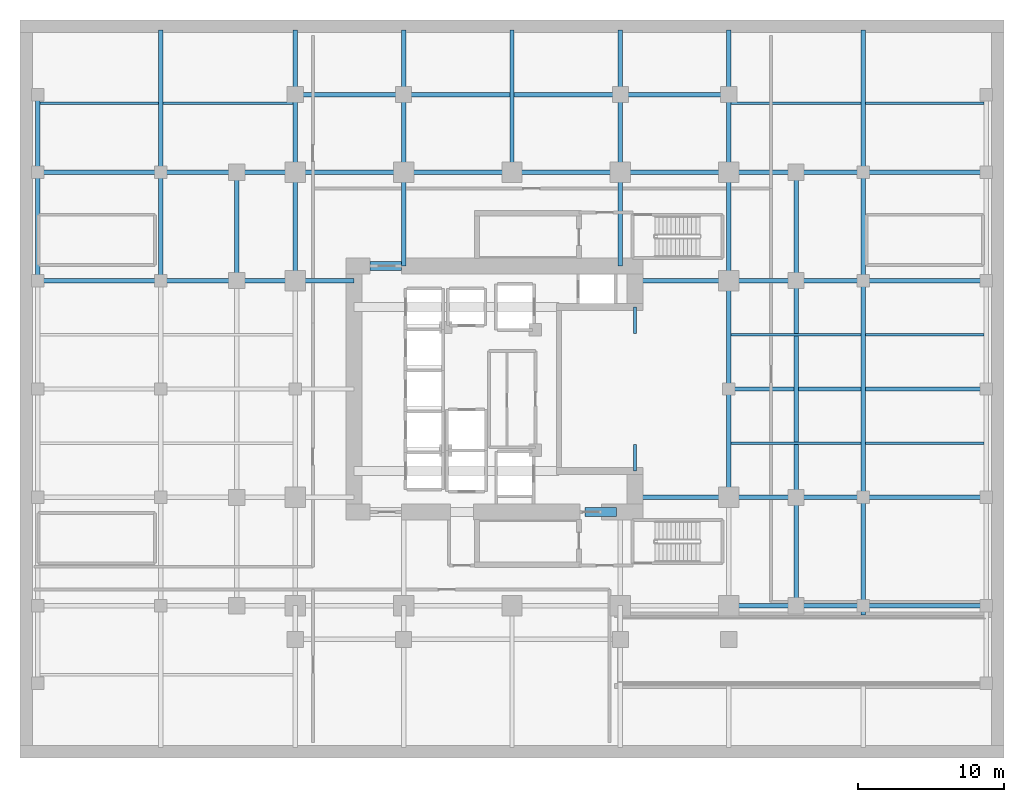
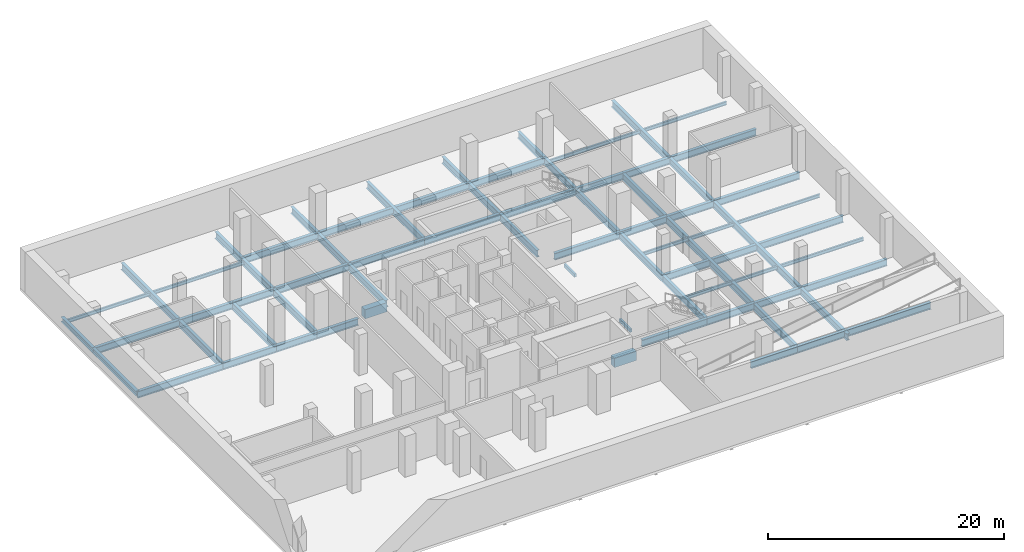
# One storey, part 2 of 7: 68 beams.
"""IFC4 building model written with IfcOpenShell, lengths in metres."""

from ifc_helpers import new_model, si_unit, direction, frame, origin, origin_2d, place, context, subcontext, project, spatial, rectangle, i_section, extrude, material, material_profile, profile_set, type_object, element, save


model = new_model("IFC4")

# Units and contexts
model_context = context("Model", 3, precision=1e-05, world=origin(), true_north=direction((0.0, 1.0)))
body_context = subcontext(model_context, "Body", "Model", "MODEL_VIEW")
ifc_project = project(units=[si_unit("LENGTHUNIT", "METRE"), si_unit("AREAUNIT", "SQUARE_METRE"), si_unit("VOLUMEUNIT", "CUBIC_METRE"), si_unit("PLANEANGLEUNIT", "RADIAN"), si_unit("MASSUNIT", "GRAM", prefix="KILO")], contexts=[model_context])

# Site, building, storey
site_placement = place(None, origin())
site = spatial("IfcSite", under=ifc_project, at=site_placement, CompositionType="ELEMENT")
building_placement = place(site_placement, origin())
building = spatial("IfcBuilding", under=site, at=building_placement, Name="Khorvyn Point Tower", CompositionType="ELEMENT")
storey_placement = place(building_placement, frame((0.0, 0.0, -8.39990234375)))
storey = spatial("IfcBuildingStorey", under=building, at=storey_placement, Name="B2", CompositionType="ELEMENT", Elevation=-8.39990234375)

# Beams
ifc_material_1 = material(Name="Concrete C35/45", Category="concrete")
ifc_material_profile_1 = material_profile(ifc_material_1, rectangle(XDim=0.199951171875, YDim=0.35009765625, at=origin_2d()))
ifc_profile_set_1 = profile_set([ifc_material_profile_1], Name="Concrete C35/45 RC200x350")
beam_type_1 = type_object("IfcBeamType", Name="Concrete C35/45 Lintel RC200x350", PredefinedType="LINTEL", material=ifc_profile_set_1)
for number, where, z_axis, x_axis, name in (
    (1, (8.39990234375, -5.60009765625, -0.43505859375), (0.0, 1.0, 0.0), (-1.0, 0.0, 0.0), "B2 Core Atrium Portal Lintel S"),
    (2, (8.39990234375, 3.800048828125, -0.43505859375), (0.0, 1.0, 0.0), (-1.0, 0.0, 0.0), "B2 Core Atrium Portal Lintel N"),
):
    element("IfcBeam", number, at=place(storey_placement, frame(where, z_axis=z_axis, x_axis=x_axis)), inside=storey, type_object=beam_type_1, Name=name, PredefinedType="LINTEL", context=body_context, shape_type="SweptSolid", body=[
        extrude(rectangle(XDim=0.199951171875, YDim=0.35009765625, at=origin_2d()), origin(), (0.0, 0.0, 1.0), 1.800048828125),
    ])
ifc_material_2 = material(Name="Concrete C50/60", Category="concrete")
ifc_material_profile_2 = material_profile(ifc_material_2, rectangle(XDim=0.60009765625, YDim=0.949951171875, at=origin_2d()))
ifc_profile_set_2 = profile_set([ifc_material_profile_2], Name="Concrete C50/60 RC600x950")
beam_type_2 = type_object("IfcBeamType", Name="Concrete C50/60 Beam RC600x950", PredefinedType="BEAM", material=ifc_profile_set_2)
for number, where, z_axis, x_axis, name in (
    (3, (5.0, -8.39990234375, -0.735107421875), (1.0, 0.0, 0.0), (0.0, 1.0, 0.0), "B2 Core Southeast Portal Coupling Beam"),
    (4, (-9.699951171875, 8.39990234375, -0.735107421875), (1.0, 0.0, 0.0), (0.0, 1.0, 0.0), "B2 Core Northwest Portal Coupling Beam"),
):
    element("IfcBeam", number, at=place(storey_placement, frame(where, z_axis=z_axis, x_axis=x_axis)), inside=storey, type_object=beam_type_2, Name=name, PredefinedType="BEAM", context=body_context, shape_type="SweptSolid", body=[
        extrude(rectangle(XDim=0.60009765625, YDim=0.949951171875, at=origin_2d()), origin(), (0.0, 0.0, 1.0), 2.14990234375),
    ])
ifc_material_3 = material(Name="Steel S355", Category="steel")
ifc_material_profile_3 = material_profile(ifc_material_3, i_section(OverallWidth=0.300048828125, OverallDepth=0.699951171875, WebThickness=0.012939453125, FlangeThickness=0.02392578125, at=origin_2d()))
ifc_profile_set_3 = profile_set([ifc_material_profile_3], Name="Steel S355 H700x300x13x24")
beam_type_3 = type_object("IfcBeamType", Name="Steel S355 Beam H700x300x13x24", PredefinedType="BEAM", material=ifc_profile_set_3)
beam_1_placement = place(storey_placement, frame((14.800048828125, -14.800048828125, -0.610107421875), z_axis=(1.0, 0.0, 0.0), x_axis=(0.0, 1.0, 0.0)))
element("IfcBeam", 5, at=beam_1_placement, inside=storey, type_object=beam_type_3, Name="Beam", PredefinedType="BEAM", context=body_context, shape_type="SweptSolid", body=[
    extrude(i_section(OverallWidth=0.300048828125, OverallDepth=0.699951171875, WebThickness=0.012939453125, FlangeThickness=0.02392578125, at=origin_2d()), origin(), (0.0, 0.0, 1.0), 4.599853515625),
])
beam_2_placement = place(storey_placement, frame((19.39990234375, -14.800048828125, -0.610107421875), z_axis=(1.0, 0.0, 0.0), x_axis=(0.0, 1.0, 0.0)))
element("IfcBeam", 6, at=beam_2_placement, inside=storey, type_object=beam_type_3, Name="Beam", PredefinedType="BEAM", context=body_context, shape_type="SweptSolid", body=[
    extrude(i_section(OverallWidth=0.300048828125, OverallDepth=0.699951171875, WebThickness=0.012939453125, FlangeThickness=0.02392578125, at=origin_2d()), origin(), (0.0, 0.0, 1.0), 4.60009765625),
])
beam_3_placement = place(storey_placement, frame((24.0, -14.800048828125, -0.610107421875), z_axis=(1.0, 0.0, 0.0), x_axis=(0.0, 1.0, 0.0)))
element("IfcBeam", 7, at=beam_3_placement, inside=storey, type_object=beam_type_3, Name="Beam", PredefinedType="BEAM", context=body_context, shape_type="SweptSolid", body=[
    extrude(i_section(OverallWidth=0.300048828125, OverallDepth=0.699951171875, WebThickness=0.012939453125, FlangeThickness=0.02392578125, at=origin_2d()), origin(), (0.0, 0.0, 1.0), 8.39990234375),
])
beam_4_placement = place(storey_placement, frame((8.39990234375, -7.39990234375, -0.610107421875), z_axis=(1.0, 0.0, 0.0), x_axis=(0.0, 1.0, 0.0)))
element("IfcBeam", 8, at=beam_4_placement, inside=storey, type_object=beam_type_3, Name="Beam", PredefinedType="BEAM", context=body_context, shape_type="SweptSolid", body=[
    extrude(i_section(OverallWidth=0.300048828125, OverallDepth=0.699951171875, WebThickness=0.012939453125, FlangeThickness=0.02392578125, at=origin_2d()), origin(), (0.0, 0.0, 1.0), 6.400146484375),
])
beam_5_placement = place(storey_placement, frame((14.800048828125, -7.39990234375, -0.610107421875), z_axis=(1.0, 0.0, 0.0), x_axis=(0.0, 1.0, 0.0)))
element("IfcBeam", 9, at=beam_5_placement, inside=storey, type_object=beam_type_3, Name="Beam", PredefinedType="BEAM", context=body_context, shape_type="SweptSolid", body=[
    extrude(i_section(OverallWidth=0.300048828125, OverallDepth=0.699951171875, WebThickness=0.012939453125, FlangeThickness=0.02392578125, at=origin_2d()), origin(), (0.0, 0.0, 1.0), 4.599853515625),
])
beam_6_placement = place(storey_placement, frame((19.39990234375, -7.39990234375, -0.610107421875), z_axis=(1.0, 0.0, 0.0), x_axis=(0.0, 1.0, 0.0)))
element("IfcBeam", 10, at=beam_6_placement, inside=storey, type_object=beam_type_3, Name="Beam", PredefinedType="BEAM", context=body_context, shape_type="SweptSolid", body=[
    extrude(i_section(OverallWidth=0.300048828125, OverallDepth=0.699951171875, WebThickness=0.012939453125, FlangeThickness=0.02392578125, at=origin_2d()), origin(), (0.0, 0.0, 1.0), 4.60009765625),
])
beam_7_placement = place(storey_placement, frame((24.0, -7.39990234375, -0.610107421875), z_axis=(1.0, 0.0, 0.0), x_axis=(0.0, 1.0, 0.0)))
element("IfcBeam", 11, at=beam_7_placement, inside=storey, type_object=beam_type_3, Name="Beam", PredefinedType="BEAM", context=body_context, shape_type="SweptSolid", body=[
    extrude(i_section(OverallWidth=0.300048828125, OverallDepth=0.699951171875, WebThickness=0.012939453125, FlangeThickness=0.02392578125, at=origin_2d()), origin(), (0.0, 0.0, 1.0), 8.39990234375),
])
beam_8_placement = place(storey_placement, frame((14.800048828125, 0.0, -0.610107421875), z_axis=(1.0, 0.0, 0.0), x_axis=(0.0, 1.0, 0.0)))
element("IfcBeam", 12, at=beam_8_placement, inside=storey, type_object=beam_type_3, Name="Beam", PredefinedType="BEAM", context=body_context, shape_type="SweptSolid", body=[
    extrude(i_section(OverallWidth=0.300048828125, OverallDepth=0.699951171875, WebThickness=0.012939453125, FlangeThickness=0.02392578125, at=origin_2d()), origin(), (0.0, 0.0, 1.0), 17.599853515625),
])
beam_9_placement = place(storey_placement, frame((-32.39990234375, 7.39990234375, -0.610107421875), z_axis=(1.0, 0.0, 0.0), x_axis=(0.0, 1.0, 0.0)))
element("IfcBeam", 13, at=beam_9_placement, inside=storey, type_object=beam_type_3, Name="Beam", PredefinedType="BEAM", context=body_context, shape_type="SweptSolid", body=[
    extrude(i_section(OverallWidth=0.300048828125, OverallDepth=0.699951171875, WebThickness=0.012939453125, FlangeThickness=0.02392578125, at=origin_2d()), origin(), (0.0, 0.0, 1.0), 8.39990234375),
])
beam_10_placement = place(storey_placement, frame((-24.0, 7.39990234375, -0.610107421875), z_axis=(1.0, 0.0, 0.0), x_axis=(0.0, 1.0, 0.0)))
element("IfcBeam", 14, at=beam_10_placement, inside=storey, type_object=beam_type_3, Name="Beam", PredefinedType="BEAM", context=body_context, shape_type="SweptSolid", body=[
    extrude(i_section(OverallWidth=0.300048828125, OverallDepth=0.699951171875, WebThickness=0.012939453125, FlangeThickness=0.02392578125, at=origin_2d()), origin(), (0.0, 0.0, 1.0), 5.199951171875),
])
for number, where, z_axis, x_axis, name in (
    (15, (-18.800048828125, 7.39990234375, -0.610107421875), (1.0, 0.0, 0.0), (0.0, 1.0, 0.0), "Beam"),
    (16, (-14.800048828125, 7.39990234375, -0.610107421875), (1.0, 0.0, 0.0), (0.0, 1.0, 0.0), "Beam"),
):
    element("IfcBeam", number, at=place(storey_placement, frame(where, z_axis=z_axis, x_axis=x_axis)), inside=storey, type_object=beam_type_3, Name=name, PredefinedType="BEAM", context=body_context, shape_type="SweptSolid", body=[
        extrude(i_section(OverallWidth=0.300048828125, OverallDepth=0.699951171875, WebThickness=0.012939453125, FlangeThickness=0.02392578125, at=origin_2d()), origin(), (0.0, 0.0, 1.0), 4.0),
    ])
beam_11_placement = place(storey_placement, frame((8.39990234375, 7.39990234375, -0.610107421875), z_axis=(1.0, 0.0, 0.0), x_axis=(0.0, 1.0, 0.0)))
element("IfcBeam", 17, at=beam_11_placement, inside=storey, type_object=beam_type_3, Name="Beam", PredefinedType="BEAM", context=body_context, shape_type="SweptSolid", body=[
    extrude(i_section(OverallWidth=0.300048828125, OverallDepth=0.699951171875, WebThickness=0.012939453125, FlangeThickness=0.02392578125, at=origin_2d()), origin(), (0.0, 0.0, 1.0), 6.400146484375),
])
beam_12_placement = place(storey_placement, frame((14.800048828125, 7.39990234375, -0.610107421875), z_axis=(1.0, 0.0, 0.0), x_axis=(0.0, 1.0, 0.0)))
element("IfcBeam", 18, at=beam_12_placement, inside=storey, type_object=beam_type_3, Name="Beam", PredefinedType="BEAM", context=body_context, shape_type="SweptSolid", body=[
    extrude(i_section(OverallWidth=0.300048828125, OverallDepth=0.699951171875, WebThickness=0.012939453125, FlangeThickness=0.02392578125, at=origin_2d()), origin(), (0.0, 0.0, 1.0), 4.599853515625),
])
beam_13_placement = place(storey_placement, frame((19.39990234375, 7.39990234375, -0.610107421875), z_axis=(1.0, 0.0, 0.0), x_axis=(0.0, 1.0, 0.0)))
element("IfcBeam", 19, at=beam_13_placement, inside=storey, type_object=beam_type_3, Name="Beam", PredefinedType="BEAM", context=body_context, shape_type="SweptSolid", body=[
    extrude(i_section(OverallWidth=0.300048828125, OverallDepth=0.699951171875, WebThickness=0.012939453125, FlangeThickness=0.02392578125, at=origin_2d()), origin(), (0.0, 0.0, 1.0), 4.60009765625),
])
for number, where, z_axis, x_axis, name in (
    (20, (24.0, 7.39990234375, -0.610107421875), (1.0, 0.0, 0.0), (0.0, 1.0, 0.0), "Beam"),
    (21, (-32.39990234375, 14.800048828125, -0.610107421875), (1.0, 0.0, 0.0), (0.0, 1.0, 0.0), "Beam"),
):
    element("IfcBeam", number, at=place(storey_placement, frame(where, z_axis=z_axis, x_axis=x_axis)), inside=storey, type_object=beam_type_3, Name=name, PredefinedType="BEAM", context=body_context, shape_type="SweptSolid", body=[
        extrude(i_section(OverallWidth=0.300048828125, OverallDepth=0.699951171875, WebThickness=0.012939453125, FlangeThickness=0.02392578125, at=origin_2d()), origin(), (0.0, 0.0, 1.0), 8.39990234375),
    ])
beam_14_placement = place(storey_placement, frame((-24.0, 14.800048828125, -0.610107421875), z_axis=(1.0, 0.0, 0.0), x_axis=(0.0, 1.0, 0.0)))
element("IfcBeam", 22, at=beam_14_placement, inside=storey, type_object=beam_type_3, Name="Beam", PredefinedType="BEAM", context=body_context, shape_type="SweptSolid", body=[
    extrude(i_section(OverallWidth=0.300048828125, OverallDepth=0.699951171875, WebThickness=0.012939453125, FlangeThickness=0.02392578125, at=origin_2d()), origin(), (0.0, 0.0, 1.0), 5.199951171875),
])
beam_15_placement = place(storey_placement, frame((-18.800048828125, 14.800048828125, -0.610107421875), z_axis=(1.0, 0.0, 0.0), x_axis=(0.0, 1.0, 0.0)))
element("IfcBeam", 23, at=beam_15_placement, inside=storey, type_object=beam_type_3, Name="Beam", PredefinedType="BEAM", context=body_context, shape_type="SweptSolid", body=[
    extrude(i_section(OverallWidth=0.300048828125, OverallDepth=0.699951171875, WebThickness=0.012939453125, FlangeThickness=0.02392578125, at=origin_2d()), origin(), (0.0, 0.0, 1.0), 4.0),
])
beam_16_placement = place(storey_placement, frame((-14.800048828125, 14.800048828125, -0.610107421875), z_axis=(1.0, 0.0, 0.0), x_axis=(0.0, 1.0, 0.0)))
element("IfcBeam", 24, at=beam_16_placement, inside=storey, type_object=beam_type_3, Name="Beam", PredefinedType="BEAM", context=body_context, shape_type="SweptSolid", body=[
    extrude(i_section(OverallWidth=0.300048828125, OverallDepth=0.699951171875, WebThickness=0.012939453125, FlangeThickness=0.02392578125, at=origin_2d()), origin(), (0.0, 0.0, 1.0), 7.400146484375),
])
for number, where, z_axis, x_axis, name in (
    (25, (-7.39990234375, 14.800048828125, -0.610107421875), (1.0, 0.0, 0.0), (0.0, 1.0, 0.0), "Beam"),
    (26, (0.0, 14.800048828125, -0.610107421875), (1.0, 0.0, 0.0), (0.0, 1.0, 0.0), "Beam"),
):
    element("IfcBeam", number, at=place(storey_placement, frame(where, z_axis=z_axis, x_axis=x_axis)), inside=storey, type_object=beam_type_3, Name=name, PredefinedType="BEAM", context=body_context, shape_type="SweptSolid", body=[
        extrude(i_section(OverallWidth=0.300048828125, OverallDepth=0.699951171875, WebThickness=0.012939453125, FlangeThickness=0.02392578125, at=origin_2d()), origin(), (0.0, 0.0, 1.0), 7.39990234375),
    ])
beam_17_placement = place(storey_placement, frame((7.39990234375, 14.800048828125, -0.610107421875), z_axis=(1.0, 0.0, 0.0), x_axis=(0.0, 1.0, 0.0)))
element("IfcBeam", 27, at=beam_17_placement, inside=storey, type_object=beam_type_3, Name="Beam", PredefinedType="BEAM", context=body_context, shape_type="SweptSolid", body=[
    extrude(i_section(OverallWidth=0.300048828125, OverallDepth=0.699951171875, WebThickness=0.012939453125, FlangeThickness=0.02392578125, at=origin_2d()), origin(), (0.0, 0.0, 1.0), 7.400146484375),
])
beam_18_placement = place(storey_placement, frame((14.800048828125, 14.800048828125, -0.610107421875), z_axis=(1.0, 0.0, 0.0), x_axis=(0.0, 1.0, 0.0)))
element("IfcBeam", 28, at=beam_18_placement, inside=storey, type_object=beam_type_3, Name="Beam", PredefinedType="BEAM", context=body_context, shape_type="SweptSolid", body=[
    extrude(i_section(OverallWidth=0.300048828125, OverallDepth=0.699951171875, WebThickness=0.012939453125, FlangeThickness=0.02392578125, at=origin_2d()), origin(), (0.0, 0.0, 1.0), 4.599853515625),
])
beam_19_placement = place(storey_placement, frame((19.39990234375, 14.800048828125, -0.610107421875), z_axis=(1.0, 0.0, 0.0), x_axis=(0.0, 1.0, 0.0)))
element("IfcBeam", 29, at=beam_19_placement, inside=storey, type_object=beam_type_3, Name="Beam", PredefinedType="BEAM", context=body_context, shape_type="SweptSolid", body=[
    extrude(i_section(OverallWidth=0.300048828125, OverallDepth=0.699951171875, WebThickness=0.012939453125, FlangeThickness=0.02392578125, at=origin_2d()), origin(), (0.0, 0.0, 1.0), 4.60009765625),
])
beam_20_placement = place(storey_placement, frame((24.0, 14.800048828125, -0.610107421875), z_axis=(1.0, 0.0, 0.0), x_axis=(0.0, 1.0, 0.0)))
element("IfcBeam", 30, at=beam_20_placement, inside=storey, type_object=beam_type_3, Name="Beam", PredefinedType="BEAM", context=body_context, shape_type="SweptSolid", body=[
    extrude(i_section(OverallWidth=0.300048828125, OverallDepth=0.699951171875, WebThickness=0.012939453125, FlangeThickness=0.02392578125, at=origin_2d()), origin(), (0.0, 0.0, 1.0), 8.39990234375),
])
beam_21_placement = place(storey_placement, frame((-14.800048828125, 20.10009765625, -0.610107421875), z_axis=(1.0, 0.0, 0.0), x_axis=(0.0, 1.0, 0.0)))
element("IfcBeam", 31, at=beam_21_placement, inside=storey, type_object=beam_type_3, Name="Beam", PredefinedType="BEAM", context=body_context, shape_type="SweptSolid", body=[
    extrude(i_section(OverallWidth=0.300048828125, OverallDepth=0.699951171875, WebThickness=0.012939453125, FlangeThickness=0.02392578125, at=origin_2d()), origin(), (0.0, 0.0, 1.0), 7.400146484375),
])
beam_22_placement = place(storey_placement, frame((-7.39990234375, 20.10009765625, -0.610107421875), z_axis=(1.0, 0.0, 0.0), x_axis=(0.0, 1.0, 0.0)))
element("IfcBeam", 32, at=beam_22_placement, inside=storey, type_object=beam_type_3, Name="Beam", PredefinedType="BEAM", context=body_context, shape_type="SweptSolid", body=[
    extrude(i_section(OverallWidth=0.300048828125, OverallDepth=0.699951171875, WebThickness=0.012939453125, FlangeThickness=0.02392578125, at=origin_2d()), origin(), (0.0, 0.0, 1.0), 14.7998046875),
])
for number, where, z_axis, x_axis, name in (
    (33, (7.39990234375, 20.10009765625, -0.610107421875), (1.0, 0.0, 0.0), (0.0, 1.0, 0.0), "Beam"),
    (34, (-24.0, 7.39990234375, -0.610107421875), (0.0, 1.0, 0.0), (-1.0, 0.0, 0.0), "Beam"),
):
    element("IfcBeam", number, at=place(storey_placement, frame(where, z_axis=z_axis, x_axis=x_axis)), inside=storey, type_object=beam_type_3, Name=name, PredefinedType="BEAM", context=body_context, shape_type="SweptSolid", body=[
        extrude(i_section(OverallWidth=0.300048828125, OverallDepth=0.699951171875, WebThickness=0.012939453125, FlangeThickness=0.02392578125, at=origin_2d()), origin(), (0.0, 0.0, 1.0), 7.400146484375),
    ])
beam_23_placement = place(storey_placement, frame((-24.0, 14.800048828125, -0.610107421875), z_axis=(0.0, 1.0, 0.0), x_axis=(-1.0, 0.0, 0.0)))
element("IfcBeam", 35, at=beam_23_placement, inside=storey, type_object=beam_type_3, Name="Beam", PredefinedType="BEAM", context=body_context, shape_type="SweptSolid", body=[
    extrude(i_section(OverallWidth=0.300048828125, OverallDepth=0.699951171875, WebThickness=0.012939453125, FlangeThickness=0.02392578125, at=origin_2d()), origin(), (0.0, 0.0, 1.0), 9.699951171875),
])
beam_24_placement = place(storey_placement, frame((-14.800048828125, 7.39990234375, -0.610107421875), z_axis=(0.0, 1.0, 0.0), x_axis=(-1.0, 0.0, 0.0)))
element("IfcBeam", 36, at=beam_24_placement, inside=storey, type_object=beam_type_3, Name="Beam", PredefinedType="BEAM", context=body_context, shape_type="SweptSolid", body=[
    extrude(i_section(OverallWidth=0.300048828125, OverallDepth=0.699951171875, WebThickness=0.012939453125, FlangeThickness=0.02392578125, at=origin_2d()), origin(), (0.0, 0.0, 1.0), 7.400146484375),
])
beam_25_placement = place(storey_placement, frame((-14.800048828125, 14.800048828125, -0.610107421875), z_axis=(0.0, 1.0, 0.0), x_axis=(-1.0, 0.0, 0.0)))
element("IfcBeam", 37, at=beam_25_placement, inside=storey, type_object=beam_type_3, Name="Beam", PredefinedType="BEAM", context=body_context, shape_type="SweptSolid", body=[
    extrude(i_section(OverallWidth=0.300048828125, OverallDepth=0.699951171875, WebThickness=0.012939453125, FlangeThickness=0.02392578125, at=origin_2d()), origin(), (0.0, 0.0, 1.0), 5.300048828125),
])
beam_26_placement = place(storey_placement, frame((-14.800048828125, 20.10009765625, -0.610107421875), z_axis=(0.0, 1.0, 0.0), x_axis=(-1.0, 0.0, 0.0)))
element("IfcBeam", 38, at=beam_26_placement, inside=storey, type_object=beam_type_3, Name="Beam", PredefinedType="BEAM", context=body_context, shape_type="SweptSolid", body=[
    extrude(i_section(OverallWidth=0.300048828125, OverallDepth=0.699951171875, WebThickness=0.012939453125, FlangeThickness=0.02392578125, at=origin_2d()), origin(), (0.0, 0.0, 1.0), 4.39990234375),
])
beam_27_placement = place(storey_placement, frame((-7.39990234375, 8.39990234375, -0.610107421875), z_axis=(0.0, 1.0, 0.0), x_axis=(-1.0, 0.0, 0.0)))
element("IfcBeam", 39, at=beam_27_placement, inside=storey, type_object=beam_type_3, Name="Beam", PredefinedType="BEAM", context=body_context, shape_type="SweptSolid", body=[
    extrude(i_section(OverallWidth=0.300048828125, OverallDepth=0.699951171875, WebThickness=0.012939453125, FlangeThickness=0.02392578125, at=origin_2d()), origin(), (0.0, 0.0, 1.0), 6.400146484375),
])
beam_28_placement = place(storey_placement, frame((-7.39990234375, 14.800048828125, -0.610107421875), z_axis=(0.0, 1.0, 0.0), x_axis=(-1.0, 0.0, 0.0)))
element("IfcBeam", 40, at=beam_28_placement, inside=storey, type_object=beam_type_3, Name="Beam", PredefinedType="BEAM", context=body_context, shape_type="SweptSolid", body=[
    extrude(i_section(OverallWidth=0.300048828125, OverallDepth=0.699951171875, WebThickness=0.012939453125, FlangeThickness=0.02392578125, at=origin_2d()), origin(), (0.0, 0.0, 1.0), 5.300048828125),
])
beam_29_placement = place(storey_placement, frame((-7.39990234375, 20.10009765625, -0.610107421875), z_axis=(0.0, 1.0, 0.0), x_axis=(-1.0, 0.0, 0.0)))
element("IfcBeam", 41, at=beam_29_placement, inside=storey, type_object=beam_type_3, Name="Beam", PredefinedType="BEAM", context=body_context, shape_type="SweptSolid", body=[
    extrude(i_section(OverallWidth=0.300048828125, OverallDepth=0.699951171875, WebThickness=0.012939453125, FlangeThickness=0.02392578125, at=origin_2d()), origin(), (0.0, 0.0, 1.0), 4.39990234375),
])
beam_30_placement = place(storey_placement, frame((0.0, 14.800048828125, -0.610107421875), z_axis=(0.0, 1.0, 0.0), x_axis=(-1.0, 0.0, 0.0)))
element("IfcBeam", 42, at=beam_30_placement, inside=storey, type_object=beam_type_3, Name="Beam", PredefinedType="BEAM", context=body_context, shape_type="SweptSolid", body=[
    extrude(i_section(OverallWidth=0.300048828125, OverallDepth=0.699951171875, WebThickness=0.012939453125, FlangeThickness=0.02392578125, at=origin_2d()), origin(), (0.0, 0.0, 1.0), 9.699951171875),
])
beam_31_placement = place(storey_placement, frame((7.39990234375, 8.39990234375, -0.610107421875), z_axis=(0.0, 1.0, 0.0), x_axis=(-1.0, 0.0, 0.0)))
element("IfcBeam", 43, at=beam_31_placement, inside=storey, type_object=beam_type_3, Name="Beam", PredefinedType="BEAM", context=body_context, shape_type="SweptSolid", body=[
    extrude(i_section(OverallWidth=0.300048828125, OverallDepth=0.699951171875, WebThickness=0.012939453125, FlangeThickness=0.02392578125, at=origin_2d()), origin(), (0.0, 0.0, 1.0), 6.400146484375),
])
beam_32_placement = place(storey_placement, frame((7.39990234375, 14.800048828125, -0.610107421875), z_axis=(0.0, 1.0, 0.0), x_axis=(-1.0, 0.0, 0.0)))
element("IfcBeam", 44, at=beam_32_placement, inside=storey, type_object=beam_type_3, Name="Beam", PredefinedType="BEAM", context=body_context, shape_type="SweptSolid", body=[
    extrude(i_section(OverallWidth=0.300048828125, OverallDepth=0.699951171875, WebThickness=0.012939453125, FlangeThickness=0.02392578125, at=origin_2d()), origin(), (0.0, 0.0, 1.0), 5.300048828125),
])
beam_33_placement = place(storey_placement, frame((7.39990234375, 20.10009765625, -0.610107421875), z_axis=(0.0, 1.0, 0.0), x_axis=(-1.0, 0.0, 0.0)))
element("IfcBeam", 45, at=beam_33_placement, inside=storey, type_object=beam_type_3, Name="Beam", PredefinedType="BEAM", context=body_context, shape_type="SweptSolid", body=[
    extrude(i_section(OverallWidth=0.300048828125, OverallDepth=0.699951171875, WebThickness=0.012939453125, FlangeThickness=0.02392578125, at=origin_2d()), origin(), (0.0, 0.0, 1.0), 4.39990234375),
])
for number, where, z_axis, x_axis, name in (
    (46, (14.800048828125, -7.39990234375, -0.610107421875), (0.0, 1.0, 0.0), (-1.0, 0.0, 0.0), "Beam"),
    (47, (14.800048828125, 0.0, -0.610107421875), (0.0, 1.0, 0.0), (-1.0, 0.0, 0.0), "Beam"),
):
    element("IfcBeam", number, at=place(storey_placement, frame(where, z_axis=z_axis, x_axis=x_axis)), inside=storey, type_object=beam_type_3, Name=name, PredefinedType="BEAM", context=body_context, shape_type="SweptSolid", body=[
        extrude(i_section(OverallWidth=0.300048828125, OverallDepth=0.699951171875, WebThickness=0.012939453125, FlangeThickness=0.02392578125, at=origin_2d()), origin(), (0.0, 0.0, 1.0), 7.39990234375),
    ])
beam_34_placement = place(storey_placement, frame((14.800048828125, 7.39990234375, -0.610107421875), z_axis=(0.0, 1.0, 0.0), x_axis=(-1.0, 0.0, 0.0)))
element("IfcBeam", 48, at=beam_34_placement, inside=storey, type_object=beam_type_3, Name="Beam", PredefinedType="BEAM", context=body_context, shape_type="SweptSolid", body=[
    extrude(i_section(OverallWidth=0.300048828125, OverallDepth=0.699951171875, WebThickness=0.012939453125, FlangeThickness=0.02392578125, at=origin_2d()), origin(), (0.0, 0.0, 1.0), 7.400146484375),
])
beam_35_placement = place(storey_placement, frame((14.800048828125, 14.800048828125, -0.610107421875), z_axis=(0.0, 1.0, 0.0), x_axis=(-1.0, 0.0, 0.0)))
element("IfcBeam", 49, at=beam_35_placement, inside=storey, type_object=beam_type_3, Name="Beam", PredefinedType="BEAM", context=body_context, shape_type="SweptSolid", body=[
    extrude(i_section(OverallWidth=0.300048828125, OverallDepth=0.699951171875, WebThickness=0.012939453125, FlangeThickness=0.02392578125, at=origin_2d()), origin(), (0.0, 0.0, 1.0), 5.300048828125),
])
beam_36_placement = place(storey_placement, frame((14.800048828125, 20.10009765625, -0.610107421875), z_axis=(0.0, 1.0, 0.0), x_axis=(-1.0, 0.0, 0.0)))
element("IfcBeam", 50, at=beam_36_placement, inside=storey, type_object=beam_type_3, Name="Beam", PredefinedType="BEAM", context=body_context, shape_type="SweptSolid", body=[
    extrude(i_section(OverallWidth=0.300048828125, OverallDepth=0.699951171875, WebThickness=0.012939453125, FlangeThickness=0.02392578125, at=origin_2d()), origin(), (0.0, 0.0, 1.0), 4.39990234375),
])
beam_37_placement = place(storey_placement, frame((24.0, -15.419921875, -0.610107421875), z_axis=(0.0, 1.0, 0.0), x_axis=(-1.0, 0.0, 0.0)))
element("IfcBeam", 51, at=beam_37_placement, inside=storey, type_object=beam_type_3, Name="Beam", PredefinedType="BEAM", context=body_context, shape_type="SweptSolid", body=[
    extrude(i_section(OverallWidth=0.300048828125, OverallDepth=0.699951171875, WebThickness=0.012939453125, FlangeThickness=0.02392578125, at=origin_2d()), origin(), (0.0, 0.0, 1.0), 8.02001953125),
])
beam_38_placement = place(storey_placement, frame((24.0, -7.39990234375, -0.610107421875), z_axis=(0.0, 1.0, 0.0), x_axis=(-1.0, 0.0, 0.0)))
element("IfcBeam", 52, at=beam_38_placement, inside=storey, type_object=beam_type_3, Name="Beam", PredefinedType="BEAM", context=body_context, shape_type="SweptSolid", body=[
    extrude(i_section(OverallWidth=0.300048828125, OverallDepth=0.699951171875, WebThickness=0.012939453125, FlangeThickness=0.02392578125, at=origin_2d()), origin(), (0.0, 0.0, 1.0), 14.7998046875),
])
beam_39_placement = place(storey_placement, frame((24.0, 7.39990234375, -0.610107421875), z_axis=(0.0, 1.0, 0.0), x_axis=(-1.0, 0.0, 0.0)))
element("IfcBeam", 53, at=beam_39_placement, inside=storey, type_object=beam_type_3, Name="Beam", PredefinedType="BEAM", context=body_context, shape_type="SweptSolid", body=[
    extrude(i_section(OverallWidth=0.300048828125, OverallDepth=0.699951171875, WebThickness=0.012939453125, FlangeThickness=0.02392578125, at=origin_2d()), origin(), (0.0, 0.0, 1.0), 7.400146484375),
])
beam_40_placement = place(storey_placement, frame((24.0, 14.800048828125, -0.610107421875), z_axis=(0.0, 1.0, 0.0), x_axis=(-1.0, 0.0, 0.0)))
element("IfcBeam", 54, at=beam_40_placement, inside=storey, type_object=beam_type_3, Name="Beam", PredefinedType="BEAM", context=body_context, shape_type="SweptSolid", body=[
    extrude(i_section(OverallWidth=0.300048828125, OverallDepth=0.699951171875, WebThickness=0.012939453125, FlangeThickness=0.02392578125, at=origin_2d()), origin(), (0.0, 0.0, 1.0), 9.699951171875),
])
for number, where, z_axis, x_axis, name in (
    (55, (-18.800048828125, 7.39990234375, -0.610107421875), (0.0, 1.0, 0.0), (-1.0, 0.0, 0.0), "Beam"),
    (56, (19.39990234375, -14.800048828125, -0.610107421875), (0.0, 1.0, 0.0), (-1.0, 0.0, 0.0), "Beam"),
):
    element("IfcBeam", number, at=place(storey_placement, frame(where, z_axis=z_axis, x_axis=x_axis)), inside=storey, type_object=beam_type_3, Name=name, PredefinedType="BEAM", context=body_context, shape_type="SweptSolid", body=[
        extrude(i_section(OverallWidth=0.300048828125, OverallDepth=0.699951171875, WebThickness=0.012939453125, FlangeThickness=0.02392578125, at=origin_2d()), origin(), (0.0, 0.0, 1.0), 7.400146484375),
    ])
beam_41_placement = place(storey_placement, frame((19.39990234375, -7.39990234375, -0.610107421875), z_axis=(0.0, 1.0, 0.0), x_axis=(-1.0, 0.0, 0.0)))
element("IfcBeam", 57, at=beam_41_placement, inside=storey, type_object=beam_type_3, Name="Beam", PredefinedType="BEAM", context=body_context, shape_type="SweptSolid", body=[
    extrude(i_section(OverallWidth=0.300048828125, OverallDepth=0.699951171875, WebThickness=0.012939453125, FlangeThickness=0.02392578125, at=origin_2d()), origin(), (0.0, 0.0, 1.0), 14.7998046875),
])
beam_42_placement = place(storey_placement, frame((19.39990234375, 7.39990234375, -0.610107421875), z_axis=(0.0, 1.0, 0.0), x_axis=(-1.0, 0.0, 0.0)))
element("IfcBeam", 58, at=beam_42_placement, inside=storey, type_object=beam_type_3, Name="Beam", PredefinedType="BEAM", context=body_context, shape_type="SweptSolid", body=[
    extrude(i_section(OverallWidth=0.300048828125, OverallDepth=0.699951171875, WebThickness=0.012939453125, FlangeThickness=0.02392578125, at=origin_2d()), origin(), (0.0, 0.0, 1.0), 7.400146484375),
])
ifc_material_profile_4 = material_profile(ifc_material_3, i_section(OverallWidth=0.175048828125, OverallDepth=0.35009765625, WebThickness=0.007080078125, FlangeThickness=0.010986328125, at=origin_2d()))
ifc_profile_set_4 = profile_set([ifc_material_profile_4], Name="Steel S355 H350x175x7x11")
beam_type_4 = type_object("IfcBeamType", Name="Steel S355 Joist H350x175x7x11", PredefinedType="JOIST", material=ifc_profile_set_4)
beam_43_placement = place(storey_placement, frame((14.949951171875, -3.699951171875, -0.43505859375), z_axis=(1.0, 0.0, 0.0), x_axis=(0.0, 1.0, 0.0)))
element("IfcBeam", 59, at=beam_43_placement, inside=storey, type_object=beam_type_4, Name="Beam", PredefinedType="JOIST", context=body_context, shape_type="SweptSolid", body=[
    extrude(i_section(OverallWidth=0.175048828125, OverallDepth=0.35009765625, WebThickness=0.007080078125, FlangeThickness=0.010986328125, at=origin_2d()), origin(), (0.0, 0.0, 1.0), 8.900146484375),
])
beam_44_placement = place(storey_placement, frame((24.14990234375, -3.699951171875, -0.43505859375), z_axis=(1.0, 0.0, 0.0), x_axis=(0.0, 1.0, 0.0)))
element("IfcBeam", 60, at=beam_44_placement, inside=storey, type_object=beam_type_4, Name="Beam", PredefinedType="JOIST", context=body_context, shape_type="SweptSolid", body=[
    extrude(i_section(OverallWidth=0.175048828125, OverallDepth=0.35009765625, WebThickness=0.007080078125, FlangeThickness=0.010986328125, at=origin_2d()), origin(), (0.0, 0.0, 1.0), 8.10009765625),
])
beam_45_placement = place(storey_placement, frame((14.949951171875, 3.699951171875, -0.43505859375), z_axis=(1.0, 0.0, 0.0), x_axis=(0.0, 1.0, 0.0)))
element("IfcBeam", 61, at=beam_45_placement, inside=storey, type_object=beam_type_4, Name="Beam", PredefinedType="JOIST", context=body_context, shape_type="SweptSolid", body=[
    extrude(i_section(OverallWidth=0.175048828125, OverallDepth=0.35009765625, WebThickness=0.007080078125, FlangeThickness=0.010986328125, at=origin_2d()), origin(), (0.0, 0.0, 1.0), 8.900146484375),
])
for number, where, z_axis, x_axis, name in (
    (62, (24.14990234375, 3.699951171875, -0.43505859375), (1.0, 0.0, 0.0), (0.0, 1.0, 0.0), "Beam"),
    (63, (-32.25, 19.5, -0.43505859375), (1.0, 0.0, 0.0), (0.0, 1.0, 0.0), "Beam"),
):
    element("IfcBeam", number, at=place(storey_placement, frame(where, z_axis=z_axis, x_axis=x_axis)), inside=storey, type_object=beam_type_4, Name=name, PredefinedType="JOIST", context=body_context, shape_type="SweptSolid", body=[
        extrude(i_section(OverallWidth=0.175048828125, OverallDepth=0.35009765625, WebThickness=0.007080078125, FlangeThickness=0.010986328125, at=origin_2d()), origin(), (0.0, 0.0, 1.0), 8.10009765625),
    ])
for number, where, z_axis, x_axis, name in (
    (64, (-23.85009765625, 19.5, -0.43505859375), (1.0, 0.0, 0.0), (0.0, 1.0, 0.0), "Beam"),
    (65, (14.949951171875, 19.5, -0.43505859375), (1.0, 0.0, 0.0), (0.0, 1.0, 0.0), "Beam"),
):
    element("IfcBeam", number, at=place(storey_placement, frame(where, z_axis=z_axis, x_axis=x_axis)), inside=storey, type_object=beam_type_4, Name=name, PredefinedType="JOIST", context=body_context, shape_type="SweptSolid", body=[
        extrude(i_section(OverallWidth=0.175048828125, OverallDepth=0.35009765625, WebThickness=0.007080078125, FlangeThickness=0.010986328125, at=origin_2d()), origin(), (0.0, 0.0, 1.0), 8.900146484375),
    ])
beam_46_placement = place(storey_placement, frame((24.14990234375, 19.5, -0.43505859375), z_axis=(1.0, 0.0, 0.0), x_axis=(0.0, 1.0, 0.0)))
element("IfcBeam", 66, at=beam_46_placement, inside=storey, type_object=beam_type_4, Name="Beam", PredefinedType="JOIST", context=body_context, shape_type="SweptSolid", body=[
    extrude(i_section(OverallWidth=0.175048828125, OverallDepth=0.35009765625, WebThickness=0.007080078125, FlangeThickness=0.010986328125, at=origin_2d()), origin(), (0.0, 0.0, 1.0), 8.10009765625),
])
ifc_material_profile_5 = material_profile(ifc_material_3, i_section(OverallWidth=0.300048828125, OverallDepth=0.488037109375, WebThickness=0.010986328125, FlangeThickness=0.01806640625, at=origin_2d()))
ifc_profile_set_5 = profile_set([ifc_material_profile_5], Name="Steel S355 H488x300x11x18")
beam_type_5 = type_object("IfcBeamType", Name="Steel S355 Spandrel H488x300x11x18", PredefinedType="SPANDREL", material=ifc_profile_set_5)
beam_47_placement = place(storey_placement, frame((-32.39990234375, 7.39990234375, -0.504150390625), z_axis=(0.0, 1.0, 0.0), x_axis=(-1.0, 0.0, 0.0)))
element("IfcBeam", 67, at=beam_47_placement, inside=storey, type_object=beam_type_5, Name="Beam", PredefinedType="SPANDREL", context=body_context, shape_type="SweptSolid", body=[
    extrude(i_section(OverallWidth=0.300048828125, OverallDepth=0.488037109375, WebThickness=0.010986328125, FlangeThickness=0.01806640625, at=origin_2d()), origin(), (0.0, 0.0, 1.0), 7.400146484375),
])
beam_48_placement = place(storey_placement, frame((-32.39990234375, 14.800048828125, -0.504150390625), z_axis=(0.0, 1.0, 0.0), x_axis=(-1.0, 0.0, 0.0)))
element("IfcBeam", 68, at=beam_48_placement, inside=storey, type_object=beam_type_5, Name="Beam", PredefinedType="SPANDREL", context=body_context, shape_type="SweptSolid", body=[
    extrude(i_section(OverallWidth=0.300048828125, OverallDepth=0.488037109375, WebThickness=0.010986328125, FlangeThickness=0.01806640625, at=origin_2d()), origin(), (0.0, 0.0, 1.0), 5.300048828125),
])

save(model, "model.ifc")
